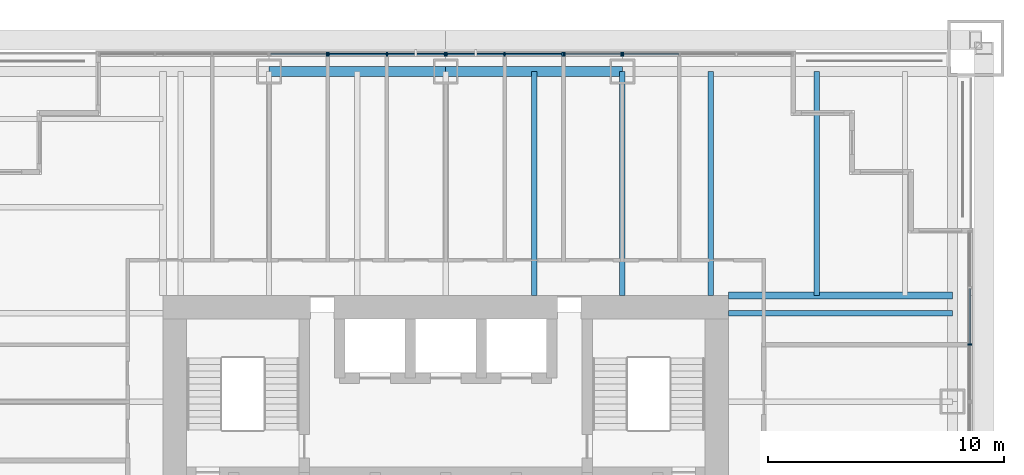
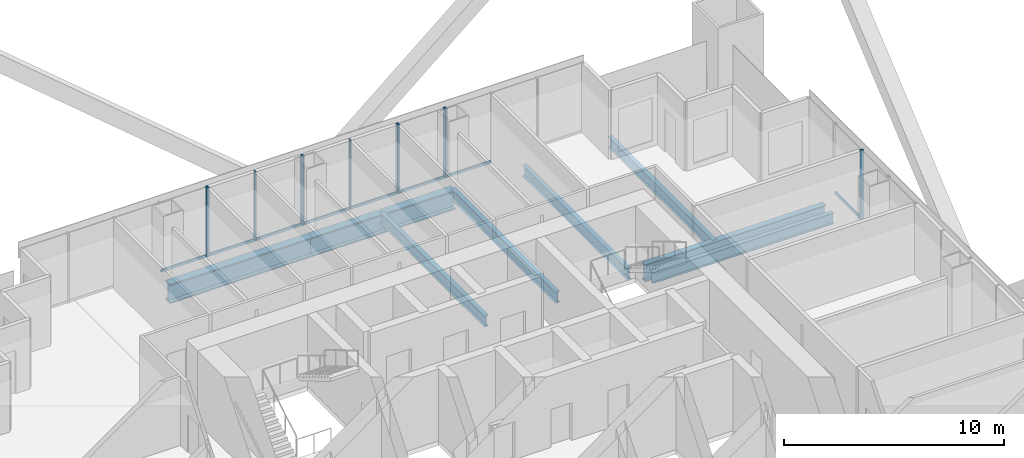
# One storey, part 8 of 17: 19 members, 8 beams, 6 elements without a shape of their own.
"""IFC4 building model written with IfcOpenShell, lengths in metres."""

from ifc_helpers import new_model, si_unit, direction, frame, origin, origin_2d, place, context, subcontext, project, spatial, rectangle, i_section, extrude, material, material_profile, profile_set, type_object, element, aggregate, save


model = new_model("IFC4")

# Units and contexts
model_context = context("Model", 3, precision=1e-05, world=origin(), true_north=direction((0.0, 1.0)))
body_context = subcontext(model_context, "Body", "Model", "MODEL_VIEW")
ifc_project = project(units=[si_unit("LENGTHUNIT", "METRE"), si_unit("AREAUNIT", "SQUARE_METRE"), si_unit("VOLUMEUNIT", "CUBIC_METRE"), si_unit("PLANEANGLEUNIT", "RADIAN"), si_unit("MASSUNIT", "GRAM", prefix="KILO")], contexts=[model_context])

# Site, building, storey
site_placement = place(None, origin())
site = spatial("IfcSite", under=ifc_project, at=site_placement, CompositionType="ELEMENT")
building_placement = place(site_placement, origin())
building = spatial("IfcBuilding", under=site, at=building_placement, Name="Tarangal Relay Tower", CompositionType="ELEMENT")
storey_placement = place(building_placement, frame((0.0, 0.0, 233.89990234375)))
storey = spatial("IfcBuildingStorey", under=building, at=storey_placement, Name="L50", CompositionType="ELEMENT", Elevation=233.89990234375)

# Beams
ifc_material_1 = material(Name="Steel ASTM A992", Category="steel")
ifc_material_profile_1 = material_profile(ifc_material_1, i_section(OverallWidth=0.227783203125, OverallDepth=0.60205078125, WebThickness=0.010498046875, FlangeThickness=0.014892578125, at=origin_2d()), Name="W24X68")
ifc_profile_set_1 = profile_set([ifc_material_profile_1], Name="Steel ASTM A992")
beam_type_1 = type_object("IfcBeamType", Name="Corner beam W24X68", PredefinedType="JOIST", material=ifc_profile_set_1)
beam_1_placement = place(storey_placement, frame((15.75, 12.0, -0.450927734375), z_axis=(0.0, 1.0, 0.0), x_axis=(-1.0, 0.0, 0.0)))
element("IfcBeam", 1, at=beam_1_placement, inside=storey, type_object=beam_type_1, Name="Corner beam CB11 N L50", PredefinedType="JOIST", context=body_context, shape_type="SweptSolid", body=[
    extrude(i_section(OverallWidth=0.227783203125, OverallDepth=0.60205078125, WebThickness=0.010498046875, FlangeThickness=0.014892578125, at=origin_2d()), origin(), (0.0, 0.0, 1.0), 9.514892578125),
])
ifc_material_profile_2 = material_profile(ifc_material_1, i_section(OverallWidth=0.307373046875, OverallDepth=0.9423828125, WebThickness=0.022216796875, FlangeThickness=0.039794921875, at=origin_2d()), Name="W36X232")
ifc_profile_set_2 = profile_set([ifc_material_profile_2], Name="Steel ASTM A992")
beam_type_2 = type_object("IfcBeamType", Name="Corner girder W36X232", PredefinedType="BEAM", material=ifc_profile_set_2)
beam_2_placement = place(storey_placement, frame((12.0, 12.0, -0.62109375), z_axis=(1.0, 0.0, 0.0), x_axis=(0.0, 1.0, 0.0)))
element("IfcBeam", 2, at=beam_2_placement, inside=storey, type_object=beam_type_2, Name="Corner girder CG4 N L50", PredefinedType="BEAM", context=body_context, shape_type="SweptSolid", body=[
    extrude(i_section(OverallWidth=0.307373046875, OverallDepth=0.9423828125, WebThickness=0.022216796875, FlangeThickness=0.039794921875, at=origin_2d()), origin(), (0.0, 0.0, 1.0), 9.514892578125),
])
ifc_material_profile_3 = material_profile(ifc_material_1, i_section(OverallWidth=0.41650390625, OverallDepth=1.0693359375, WebThickness=0.0390625, FlangeThickness=0.070068359375, at=origin_2d()), Name="W40X503")
ifc_profile_set_3 = profile_set([ifc_material_profile_3], Name="Steel ASTM A992")
beam_type_3 = type_object("IfcBeamType", Name="Edge girder W40X503", PredefinedType="SPANDREL", material=ifc_profile_set_3)
for number, where, z_axis, x_axis, name in (
    (3, (-7.5, 21.514892578125, -0.6845703125), (1.0, 0.0, 0.0), (0.0, 1.0, 0.0), "Edge girder EG8 N L50"),
    (4, (0.0, 21.514892578125, -0.6845703125), (1.0, 0.0, 0.0), (0.0, 1.0, 0.0), "Edge girder EG8 N L50"),
):
    element("IfcBeam", number, at=place(storey_placement, frame(where, z_axis=z_axis, x_axis=x_axis)), inside=storey, type_object=beam_type_3, Name=name, PredefinedType="SPANDREL", context=body_context, shape_type="SweptSolid", body=[
        extrude(i_section(OverallWidth=0.41650390625, OverallDepth=1.0693359375, WebThickness=0.0390625, FlangeThickness=0.070068359375, at=origin_2d()), origin(), (0.0, 0.0, 1.0), 7.5),
    ])
ifc_material_profile_4 = material_profile(ifc_material_1, i_section(OverallWidth=0.22900390625, OverallDepth=0.612060546875, WebThickness=0.011962890625, FlangeThickness=0.01953125, at=origin_2d()), Name="W24X84")
ifc_profile_set_4 = profile_set([ifc_material_profile_4], Name="Steel ASTM A992")
beam_type_4 = type_object("IfcBeamType", Name="Floor beam W24X84", PredefinedType="BEAM", material=ifc_profile_set_4)
for number, where, z_axis, x_axis, name in (
    (5, (3.75, 12.0, -0.455810546875), (0.0, 1.0, 0.0), (-1.0, 0.0, 0.0), "Floor beam RB12 N L50"),
    (6, (7.5, 12.0, -0.455810546875), (0.0, 1.0, 0.0), (-1.0, 0.0, 0.0), "Floor beam RB12 N L50"),
    (7, (11.25, 12.0, -0.455810546875), (0.0, 1.0, 0.0), (-1.0, 0.0, 0.0), "Floor beam RB12 N L50"),
    (8, (12.0, 11.25, -0.455810546875), (1.0, 0.0, 0.0), (0.0, 1.0, 0.0), "Floor beam RB12 E L50"),
):
    element("IfcBeam", number, at=place(storey_placement, frame(where, z_axis=z_axis, x_axis=x_axis)), inside=storey, type_object=beam_type_4, Name=name, PredefinedType="BEAM", context=body_context, shape_type="SweptSolid", body=[
        extrude(i_section(OverallWidth=0.22900390625, OverallDepth=0.612060546875, WebThickness=0.011962890625, FlangeThickness=0.01953125, at=origin_2d()), origin(), (0.0, 0.0, 1.0), 9.514892578125),
    ])

# Curtain wall, member
ifc_material_2 = material(Name="Unitised curtain wall, dark glass and black aluminium", Category="aluminium")
curtain_wall_type_1 = type_object("IfcCurtainWallType", Name="Curtain wall CW-A", PredefinedType="USERDEFINED", material=ifc_material_2)
curtain_wall_1_placement = place(storey_placement, origin())
curtain_wall_1 = element("IfcCurtainWall", 9, at=curtain_wall_1_placement, inside=storey, type_object=curtain_wall_type_1, Name="Curtain wall CW-A N facade L50", ObjectType="UNITISED CURTAIN WALL", PredefinedType="USERDEFINED")
ifc_material_3 = material(Name="Black anodised aluminium mullion", Category="aluminium")
ifc_material_profile_5 = material_profile(ifc_material_3, rectangle(XDim=0.175048828125, YDim=0.06494140625, at=origin_2d()), Name="CW-AM 65X175")
ifc_profile_set_5 = profile_set([ifc_material_profile_5], Name="Black anodised aluminium mullion")
member_type_1 = type_object("IfcMemberType", Name="Mullion CW-A 65 x 175", PredefinedType="MULLION", material=ifc_profile_set_5)
member_1_placement = place(storey_placement, frame((-5.032470703125, 22.25, 0.0), z_axis=(0.0, 0.0, 1.0), x_axis=(0.0, 1.0, 0.0)))
member_1 = element("IfcMember", 10, at=member_1_placement, type_object=member_type_1, Name="CW-A mullion 2", PredefinedType="MULLION", context=body_context, shape_type="SweptSolid", body=[
    extrude(rectangle(XDim=0.175048828125, YDim=0.06494140625, at=origin_2d()), origin(), (0.0, 0.0, 1.0), 3.85009765625),
])

# Curtain wall, members
curtain_wall_2_placement = place(storey_placement, origin())
curtain_wall_2 = element("IfcCurtainWall", 11, at=curtain_wall_2_placement, inside=storey, type_object=curtain_wall_type_1, Name="Curtain wall CW-A N facade L50", ObjectType="UNITISED CURTAIN WALL", PredefinedType="USERDEFINED")
member_2_placement = place(storey_placement, frame((5.032470703125, 22.25, 0.0), z_axis=(0.0, 0.0, 1.0), x_axis=(0.0, 1.0, 0.0)))
member_2 = element("IfcMember", 12, at=member_2_placement, type_object=member_type_1, Name="CW-A mullion 1", PredefinedType="MULLION", context=body_context, shape_type="SweptSolid", body=[
    extrude(rectangle(XDim=0.175048828125, YDim=0.06494140625, at=origin_2d()), origin(), (0.0, 0.0, 1.0), 3.85009765625),
])
member_3_placement = place(storey_placement, frame((7.467529296875, 22.25, 0.0), z_axis=(0.0, 0.0, 1.0), x_axis=(0.0, 1.0, 0.0)))
member_3 = element("IfcMember", 13, at=member_3_placement, type_object=member_type_1, Name="CW-A mullion 2", PredefinedType="MULLION", context=body_context, shape_type="SweptSolid", body=[
    extrude(rectangle(XDim=0.175048828125, YDim=0.06494140625, at=origin_2d()), origin(), (0.0, 0.0, 1.0), 3.85009765625),
])

# Curtain wall, member
curtain_wall_3_placement = place(storey_placement, origin())
curtain_wall_3 = element("IfcCurtainWall", 14, at=curtain_wall_3_placement, inside=storey, type_object=curtain_wall_type_1, Name="Curtain wall CW-A N facade L50", ObjectType="UNITISED CURTAIN WALL", PredefinedType="USERDEFINED")
member_4_placement = place(storey_placement, frame((7.532470703125, 22.25, 0.0), z_axis=(0.0, 0.0, 1.0), x_axis=(0.0, 1.0, 0.0)))
member_4 = element("IfcMember", 15, at=member_4_placement, type_object=member_type_1, Name="CW-A mullion 1", PredefinedType="MULLION", context=body_context, shape_type="SweptSolid", body=[
    extrude(rectangle(XDim=0.175048828125, YDim=0.06494140625, at=origin_2d()), origin(), (0.0, 0.0, 1.0), 3.85009765625),
])

curtain_wall_4_placement = place(storey_placement, origin())
curtain_wall_4 = element("IfcCurtainWall", 16, at=curtain_wall_4_placement, inside=storey, type_object=curtain_wall_type_1, Name="Curtain wall CW-A E facade L50", ObjectType="UNITISED CURTAIN WALL", PredefinedType="USERDEFINED")
member_5_placement = place(storey_placement, frame((22.25, 9.916748046875, 0.0), z_axis=(0.0, 0.0, 1.0), x_axis=(1.0, 0.0, 0.0)))
member_5 = element("IfcMember", 17, at=member_5_placement, type_object=member_type_1, Name="CW-A mullion 3", PredefinedType="MULLION", context=body_context, shape_type="SweptSolid", body=[
    extrude(rectangle(XDim=0.175048828125, YDim=0.06494140625, at=origin_2d()), origin(), (0.0, 0.0, 1.0), 3.85009765625),
])

# Curtain wall, members
ifc_material_4 = material(Name="Unitised curtain wall frame, black aluminium, with metal clad infill walls", Category="aluminium")
curtain_wall_type_2 = type_object("IfcCurtainWallType", Name="Curtain wall CW-AO", PredefinedType="USERDEFINED", material=ifc_material_4)
curtain_wall_5_placement = place(storey_placement, origin())
curtain_wall_5 = element("IfcCurtainWall", 18, at=curtain_wall_5_placement, inside=storey, type_object=curtain_wall_type_2, Name="Curtain wall CW-AO N facade L50", ObjectType="UNITISED CURTAIN WALL", PredefinedType="USERDEFINED")
ifc_material_profile_6 = material_profile(ifc_material_3, rectangle(XDim=0.175048828125, YDim=0.06494140625, at=origin_2d()), Name="CW-AOM 65X175")
ifc_profile_set_6 = profile_set([ifc_material_profile_6], Name="Black anodised aluminium mullion")
member_type_2 = type_object("IfcMemberType", Name="Mullion CW-AO 65 x 175", PredefinedType="MULLION", material=ifc_profile_set_6)
member_6_placement = place(storey_placement, frame((-4.967529296875, 22.25, 0.0), z_axis=(0.0, 0.0, 1.0), x_axis=(0.0, 1.0, 0.0)))
member_6 = element("IfcMember", 19, at=member_6_placement, type_object=member_type_2, Name="CW-AO mullion 1", PredefinedType="MULLION", context=body_context, shape_type="SweptSolid", body=[
    extrude(rectangle(XDim=0.175048828125, YDim=0.06494140625, at=origin_2d()), origin(), (0.0, 0.0, 1.0), 3.85009765625),
])
member_7_placement = place(storey_placement, frame((-2.5, 22.25, 0.0), z_axis=(0.0, 0.0, 1.0), x_axis=(0.0, 1.0, 0.0)))
member_7 = element("IfcMember", 20, at=member_7_placement, type_object=member_type_2, Name="CW-AO mullion 2", PredefinedType="MULLION", context=body_context, shape_type="SweptSolid", body=[
    extrude(rectangle(XDim=0.175048828125, YDim=0.06494140625, at=origin_2d()), origin(), (0.0, 0.0, 1.0), 3.85009765625),
])
member_8_placement = place(storey_placement, frame((-0.032470703125, 22.25, 0.0), z_axis=(0.0, 0.0, 1.0), x_axis=(0.0, 1.0, 0.0)))
member_8 = element("IfcMember", 21, at=member_8_placement, type_object=member_type_2, Name="CW-AO mullion 3", PredefinedType="MULLION", context=body_context, shape_type="SweptSolid", body=[
    extrude(rectangle(XDim=0.175048828125, YDim=0.06494140625, at=origin_2d()), origin(), (0.0, 0.0, 1.0), 3.85009765625),
])

curtain_wall_6_placement = place(storey_placement, origin())
curtain_wall_6 = element("IfcCurtainWall", 22, at=curtain_wall_6_placement, inside=storey, type_object=curtain_wall_type_2, Name="Curtain wall CW-AO N facade L50", ObjectType="UNITISED CURTAIN WALL", PredefinedType="USERDEFINED")
member_9_placement = place(storey_placement, frame((0.032470703125, 22.25, 0.0), z_axis=(0.0, 0.0, 1.0), x_axis=(0.0, 1.0, 0.0)))
member_9 = element("IfcMember", 23, at=member_9_placement, type_object=member_type_2, Name="CW-AO mullion 1", PredefinedType="MULLION", context=body_context, shape_type="SweptSolid", body=[
    extrude(rectangle(XDim=0.175048828125, YDim=0.06494140625, at=origin_2d()), origin(), (0.0, 0.0, 1.0), 3.85009765625),
])
member_10_placement = place(storey_placement, frame((2.5, 22.25, 0.0), z_axis=(0.0, 0.0, 1.0), x_axis=(0.0, 1.0, 0.0)))
member_10 = element("IfcMember", 24, at=member_10_placement, type_object=member_type_2, Name="CW-AO mullion 2", PredefinedType="MULLION", context=body_context, shape_type="SweptSolid", body=[
    extrude(rectangle(XDim=0.175048828125, YDim=0.06494140625, at=origin_2d()), origin(), (0.0, 0.0, 1.0), 3.85009765625),
])
member_11_placement = place(storey_placement, frame((4.967529296875, 22.25, 0.0), z_axis=(0.0, 0.0, 1.0), x_axis=(0.0, 1.0, 0.0)))
member_11 = element("IfcMember", 25, at=member_11_placement, type_object=member_type_2, Name="CW-AO mullion 3", PredefinedType="MULLION", context=body_context, shape_type="SweptSolid", body=[
    extrude(rectangle(XDim=0.175048828125, YDim=0.06494140625, at=origin_2d()), origin(), (0.0, 0.0, 1.0), 3.85009765625),
])

# Member
ifc_material_5 = material(Name="Black anodised aluminium transom", Category="aluminium")
ifc_material_profile_7 = material_profile(ifc_material_5, rectangle(XDim=0.06494140625, YDim=0.14990234375, at=origin_2d()), Name="CW-AT 65X150")
ifc_profile_set_7 = profile_set([ifc_material_profile_7], Name="Black anodised aluminium transom")
member_type_3 = type_object("IfcMemberType", Name="Transom CW-A 65 x 150", PredefinedType="USERDEFINED", material=ifc_profile_set_7)
member_12_placement = place(storey_placement, frame((-7.43505859375, 22.25, 0.03271484375), z_axis=(1.0, 0.0, 0.0), x_axis=(0.0, 1.0, 0.0)))
member_12 = element("IfcMember", 26, at=member_12_placement, type_object=member_type_3, Name="CW-A transom 1.1", ObjectType="TRANSOM", PredefinedType="USERDEFINED", context=body_context, shape_type="SweptSolid", body=[
    extrude(rectangle(XDim=0.06494140625, YDim=0.14990234375, at=origin_2d()), origin(), (0.0, 0.0, 1.0), 2.3701171875),
])

aggregate(curtain_wall_1, [member_1, member_12])

member_13_placement = place(storey_placement, frame((5.06494140625, 22.25, 0.03271484375), z_axis=(1.0, 0.0, 0.0), x_axis=(0.0, 1.0, 0.0)))
member_13 = element("IfcMember", 27, at=member_13_placement, type_object=member_type_3, Name="CW-A transom 1.1", ObjectType="TRANSOM", PredefinedType="USERDEFINED", context=body_context, shape_type="SweptSolid", body=[
    extrude(rectangle(XDim=0.06494140625, YDim=0.14990234375, at=origin_2d()), origin(), (0.0, 0.0, 1.0), 2.3701171875),
])

aggregate(curtain_wall_2, [member_2, member_3, member_13])

member_14_placement = place(storey_placement, frame((7.56494140625, 22.25, 0.03271484375), z_axis=(1.0, 0.0, 0.0), x_axis=(0.0, 1.0, 0.0)))
member_14 = element("IfcMember", 28, at=member_14_placement, type_object=member_type_3, Name="CW-A transom 1.1", ObjectType="TRANSOM", PredefinedType="USERDEFINED", context=body_context, shape_type="SweptSolid", body=[
    extrude(rectangle(XDim=0.06494140625, YDim=0.14990234375, at=origin_2d()), origin(), (0.0, 0.0, 1.0), 2.3193359375),
])

aggregate(curtain_wall_3, [member_4, member_14])

member_15_placement = place(storey_placement, frame((22.25, 12.30078125, 0.03271484375), z_axis=(0.0, -1.0, 0.0), x_axis=(1.0, 0.0, 0.0)))
member_15 = element("IfcMember", 29, at=member_15_placement, type_object=member_type_3, Name="CW-A transom 2.1", ObjectType="TRANSOM", PredefinedType="USERDEFINED", context=body_context, shape_type="SweptSolid", body=[
    extrude(rectangle(XDim=0.06494140625, YDim=0.14990234375, at=origin_2d()), origin(), (0.0, 0.0, 1.0), 2.3515625),
])

aggregate(curtain_wall_4, [member_5, member_15])

ifc_material_profile_8 = material_profile(ifc_material_5, rectangle(XDim=0.06494140625, YDim=0.14990234375, at=origin_2d()), Name="CW-AOT 65X150")
ifc_profile_set_8 = profile_set([ifc_material_profile_8], Name="Black anodised aluminium transom")
member_type_4 = type_object("IfcMemberType", Name="Transom CW-AO 65 x 150", PredefinedType="USERDEFINED", material=ifc_profile_set_8)
member_16_placement = place(storey_placement, frame((-4.93505859375, 22.25, 0.03271484375), z_axis=(1.0, 0.0, 0.0), x_axis=(0.0, 1.0, 0.0)))
member_16 = element("IfcMember", 30, at=member_16_placement, type_object=member_type_4, Name="CW-AO transom 1.1", ObjectType="TRANSOM", PredefinedType="USERDEFINED", context=body_context, shape_type="SweptSolid", body=[
    extrude(rectangle(XDim=0.06494140625, YDim=0.14990234375, at=origin_2d()), origin(), (0.0, 0.0, 1.0), 2.402587890625),
])

member_17_placement = place(storey_placement, frame((-2.467529296875, 22.25, 0.03271484375), z_axis=(1.0, 0.0, 0.0), x_axis=(0.0, 1.0, 0.0)))
member_17 = element("IfcMember", 31, at=member_17_placement, type_object=member_type_4, Name="CW-AO transom 2.1", ObjectType="TRANSOM", PredefinedType="USERDEFINED", context=body_context, shape_type="SweptSolid", body=[
    extrude(rectangle(XDim=0.06494140625, YDim=0.14990234375, at=origin_2d()), origin(), (0.0, 0.0, 1.0), 2.402587890625),
])

aggregate(curtain_wall_5, [member_6, member_7, member_8, member_16, member_17])

member_18_placement = place(storey_placement, frame((0.06494140625, 22.25, 0.03271484375), z_axis=(1.0, 0.0, 0.0), x_axis=(0.0, 1.0, 0.0)))
member_18 = element("IfcMember", 32, at=member_18_placement, type_object=member_type_4, Name="CW-AO transom 1.1", ObjectType="TRANSOM", PredefinedType="USERDEFINED", context=body_context, shape_type="SweptSolid", body=[
    extrude(rectangle(XDim=0.06494140625, YDim=0.14990234375, at=origin_2d()), origin(), (0.0, 0.0, 1.0), 2.402587890625),
])

member_19_placement = place(storey_placement, frame((2.532470703125, 22.25, 0.03271484375), z_axis=(1.0, 0.0, 0.0), x_axis=(0.0, 1.0, 0.0)))
member_19 = element("IfcMember", 33, at=member_19_placement, type_object=member_type_4, Name="CW-AO transom 2.1", ObjectType="TRANSOM", PredefinedType="USERDEFINED", context=body_context, shape_type="SweptSolid", body=[
    extrude(rectangle(XDim=0.06494140625, YDim=0.14990234375, at=origin_2d()), origin(), (0.0, 0.0, 1.0), 2.402587890625),
])

aggregate(curtain_wall_6, [member_9, member_10, member_11, member_18, member_19])

save(model, "model.ifc")
